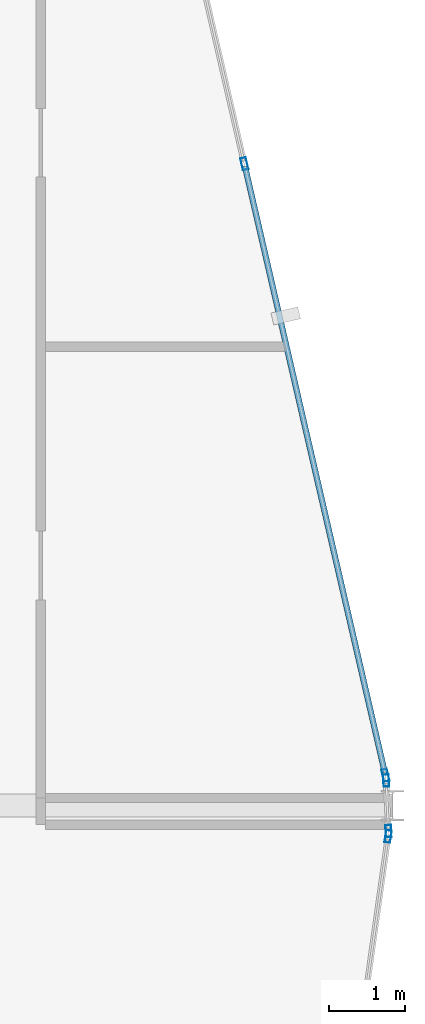
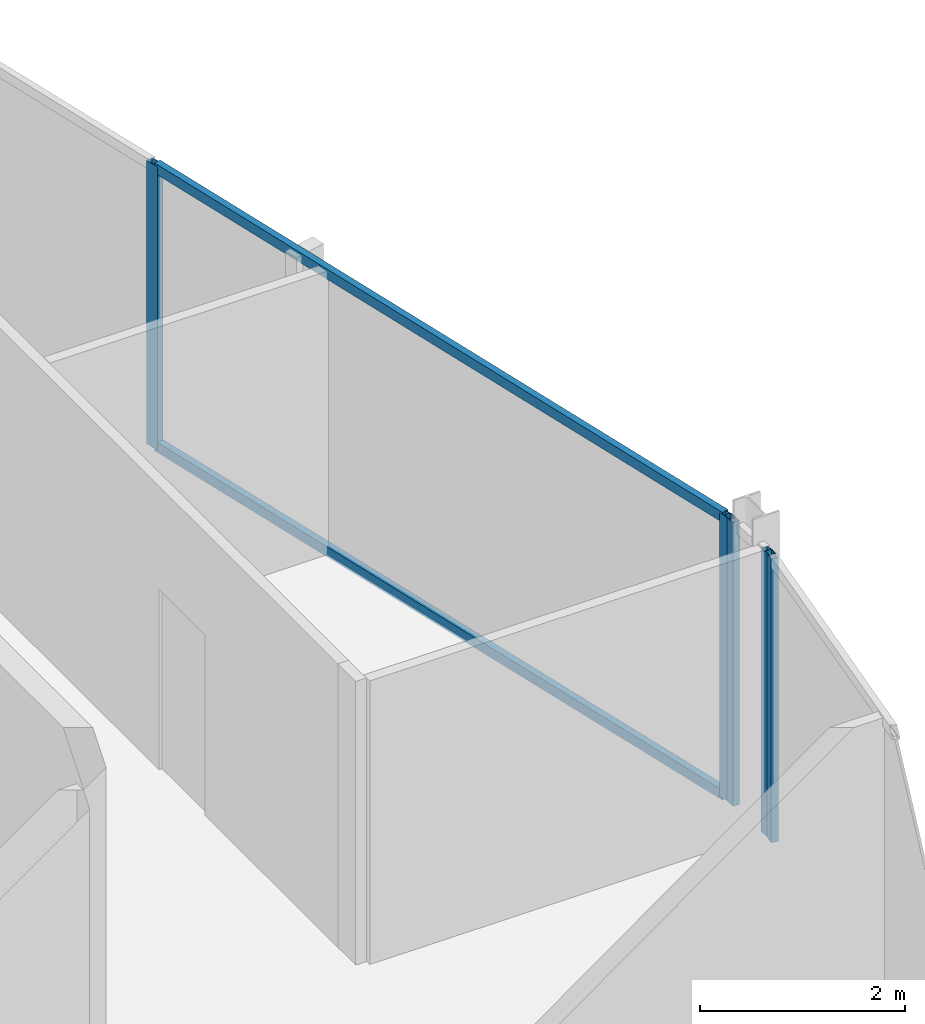
# One storey, part 14 of 27: 7 members, 3 elements without a shape of their own.
"""IFC4 building model written with IfcOpenShell, lengths in metres."""

from ifc_helpers import new_model, si_unit, direction, frame, origin, origin_2d, place, context, subcontext, project, spatial, hollow_rectangle, extrude, material, layer, layer_set, material_profile, profile_set, type_object, element, aggregate, save


model = new_model("IFC4")

# Units and contexts
model_context = context("Model", 3, precision=1e-05, world=origin(), true_north=direction((0.0, 1.0)))
body_context = subcontext(model_context, "Body", "Model", "MODEL_VIEW")
ifc_project = project(units=[si_unit("LENGTHUNIT", "METRE"), si_unit("AREAUNIT", "SQUARE_METRE"), si_unit("VOLUMEUNIT", "CUBIC_METRE"), si_unit("PLANEANGLEUNIT", "RADIAN"), si_unit("MASSUNIT", "GRAM", prefix="KILO")], contexts=[model_context])

# Site, building, storey
site_placement = place(None, origin())
site = spatial("IfcSite", under=ifc_project, at=site_placement, CompositionType="ELEMENT")
building_placement = place(site_placement, origin())
building = spatial("IfcBuilding", under=site, at=building_placement, Name="Keshet Zoharim Tower", CompositionType="ELEMENT")
storey_placement = place(building_placement, frame((0.0, 0.0, 295.39990234375)))
storey = spatial("IfcBuildingStorey", under=building, at=storey_placement, Name="L74", CompositionType="ELEMENT", Elevation=295.39990234375)

# Curtain wall, members
ifc_material = material(Name="Aluminium 6063-T6", Category="aluminium")
ifc_layer = layer(ifc_material, 0.260009765625)
ifc_layer_set = layer_set([ifc_layer], Name="Aluminium 6063-T6")
curtain_wall_type = type_object("IfcCurtainWallType", Name="CW-SYS-06", PredefinedType="NOTDEFINED", material=ifc_layer_set)
curtain_wall_1_placement = place(storey_placement, origin())
curtain_wall_1 = element("IfcCurtainWall", 1, at=curtain_wall_1_placement, inside=storey, type_object=curtain_wall_type, Name="L74 Unitised Curtain Wall 09", PredefinedType="NOTDEFINED")
ifc_material_profile_1 = material_profile(ifc_material, hollow_rectangle(XDim=0.074951171875, YDim=0.159912109375, WallThickness=0.00390625, at=origin_2d()), Name="MUL-75x160")
ifc_profile_set_1 = profile_set([ifc_material_profile_1], Name="Aluminium 6063-T6")
member_type_1 = type_object("IfcMemberType", Name="CWM-M15", PredefinedType="MULLION", material=ifc_profile_set_1)
member_1_placement = place(storey_placement, frame((43.063232421875, 36.291259765625, 0.0), z_axis=(0.0, 0.0, 1.0), x_axis=(0.974398012932, 0.224829963294, 0.0)))
member_1 = element("IfcMember", 2, at=member_1_placement, type_object=member_type_1, Name="CW-06 mullion 3", PredefinedType="MULLION", context=body_context, shape_type="SweptSolid", body=[
    extrude(hollow_rectangle(XDim=0.074951171875, YDim=0.159912109375, WallThickness=0.00390625, at=origin_2d()), origin(), (0.0, 0.0, 1.0), 3.380126953125),
])
member_2_placement = place(storey_placement, frame((44.908203125, 28.296142578125, 0.0), z_axis=(0.0, 0.0, 1.0), x_axis=(0.974398012932, 0.224829963294, 0.0)))
member_2 = element("IfcMember", 3, at=member_2_placement, type_object=member_type_1, Name="CW-06 mullion 4", PredefinedType="MULLION", context=body_context, shape_type="SweptSolid", body=[
    extrude(hollow_rectangle(XDim=0.074951171875, YDim=0.159912109375, WallThickness=0.00390625, at=origin_2d()), origin(), (0.0, 0.0, 1.0), 3.380126953125),
])

curtain_wall_2_placement = place(storey_placement, origin())
curtain_wall_2 = element("IfcCurtainWall", 4, at=curtain_wall_2_placement, inside=storey, type_object=curtain_wall_type, Name="L74 Unitised Curtain Wall 10", PredefinedType="NOTDEFINED")
member_3_placement = place(storey_placement, frame((44.91748046875, 28.22705078125, 0.0), z_axis=(0.0, 0.0, 1.0), x_axis=(0.999040601801, 0.043793560626, 0.0)))
member_3 = element("IfcMember", 5, at=member_3_placement, type_object=member_type_1, Name="CW-06 mullion 1", PredefinedType="MULLION", context=body_context, shape_type="SweptSolid", body=[
    extrude(hollow_rectangle(XDim=0.074951171875, YDim=0.159912109375, WallThickness=0.00390625, at=origin_2d()), origin(), (0.0, 0.0, 1.0), 3.380126953125),
])
member_4_placement = place(storey_placement, frame((44.946533203125, 27.56689453125, 0.0), z_axis=(0.0, 0.0, 1.0), x_axis=(0.999040601801, 0.043793560626, 0.0)))
member_4 = element("IfcMember", 6, at=member_4_placement, type_object=member_type_1, Name="CW-06 mullion 2", PredefinedType="MULLION", context=body_context, shape_type="SweptSolid", body=[
    extrude(hollow_rectangle(XDim=0.074951171875, YDim=0.159912109375, WallThickness=0.00390625, at=origin_2d()), origin(), (0.0, 0.0, 1.0), 3.380126953125),
])
aggregate(curtain_wall_2, [member_3, member_4])

# Curtain wall, member
curtain_wall_3_placement = place(storey_placement, origin())
curtain_wall_3 = element("IfcCurtainWall", 7, at=curtain_wall_3_placement, inside=storey, type_object=curtain_wall_type, Name="L74 Unitised Curtain Wall 11", PredefinedType="NOTDEFINED")
member_5_placement = place(storey_placement, frame((44.943115234375, 27.497314453125, 0.0), z_axis=(0.0, 0.0, 1.0), x_axis=(0.990132057422, -0.140137464177, 0.0)))
member_5 = element("IfcMember", 8, at=member_5_placement, type_object=member_type_1, Name="CW-06 mullion 1", PredefinedType="MULLION", context=body_context, shape_type="SweptSolid", body=[
    extrude(hollow_rectangle(XDim=0.074951171875, YDim=0.159912109375, WallThickness=0.00390625, at=origin_2d()), origin(), (0.0, 0.0, 1.0), 3.380126953125),
])
aggregate(curtain_wall_3, [member_5])

# Member
ifc_material_profile_2 = material_profile(ifc_material, hollow_rectangle(XDim=0.074951171875, YDim=0.1201171875, WallThickness=0.00390625, at=origin_2d()), Name="TRN-75x120")
ifc_profile_set_2 = profile_set([ifc_material_profile_2], Name="Aluminium 6063-T6")
member_type_2 = type_object("IfcMemberType", Name="CWT-T12", PredefinedType="USERDEFINED", material=ifc_profile_set_2)
member_6_placement = place(storey_placement, frame((43.0712890625, 36.25732421875, 0.03515625), z_axis=(0.224806904107, -0.974403333259, 0.0), x_axis=(0.974403333259, 0.224806904107, 0.0)))
member_6 = element("IfcMember", 9, at=member_6_placement, type_object=member_type_2, Name="CW-06 transom 3.1", ObjectType="TRANSOM", PredefinedType="USERDEFINED", context=body_context, shape_type="SweptSolid", body=[
    extrude(hollow_rectangle(XDim=0.074951171875, YDim=0.1201171875, WallThickness=0.00390625, at=origin_2d()), origin(), (0.0, 0.0, 1.0), 8.13525390625),
])

member_7_placement = place(storey_placement, frame((43.0712890625, 36.25732421875, 3.34521484375), z_axis=(0.224806904107, -0.974403333259, 0.0), x_axis=(0.974403333259, 0.224806904107, 0.0)))
member_7 = element("IfcMember", 10, at=member_7_placement, type_object=member_type_2, Name="CW-06 transom 3.2", ObjectType="TRANSOM", PredefinedType="USERDEFINED", context=body_context, shape_type="SweptSolid", body=[
    extrude(hollow_rectangle(XDim=0.074951171875, YDim=0.1201171875, WallThickness=0.00390625, at=origin_2d()), origin(), (0.0, 0.0, 1.0), 8.13525390625),
])

aggregate(curtain_wall_1, [member_1, member_2, member_6, member_7])

save(model, "model.ifc")
